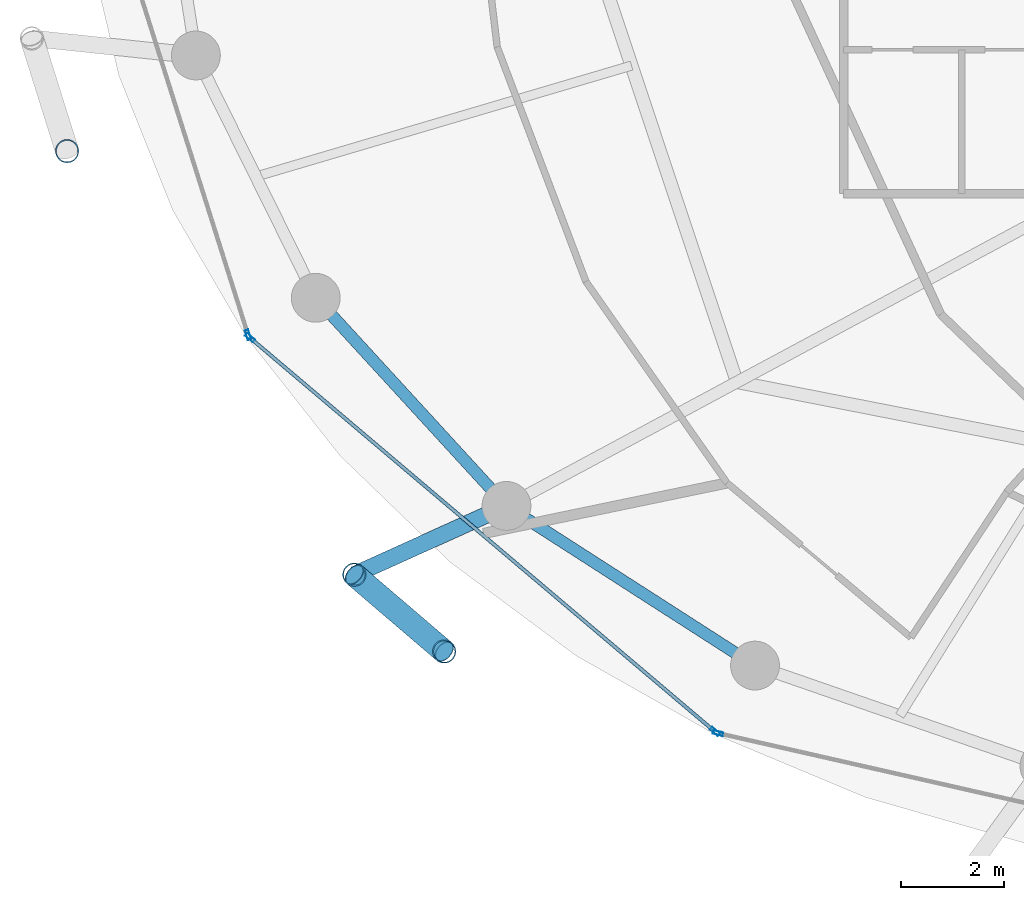
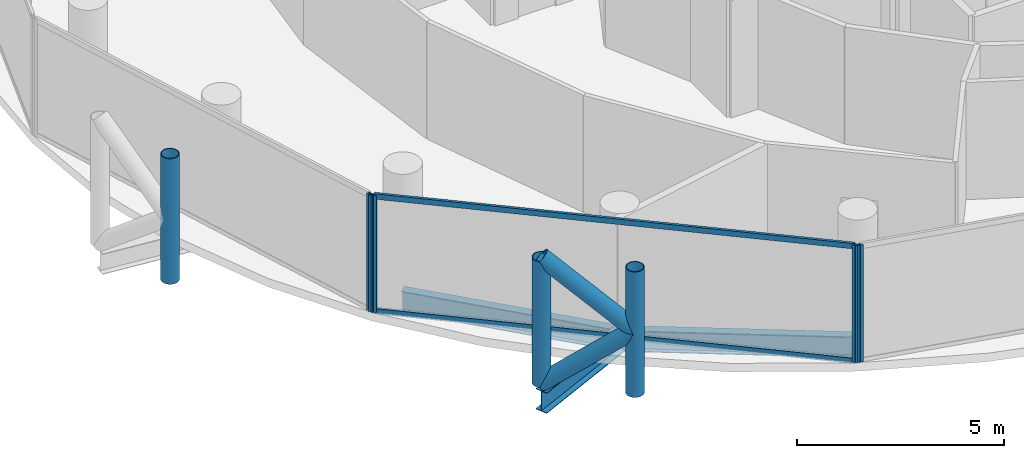
# One storey, part 2 of 26: 11 members, 3 beams, 3 elements without a shape of their own.
"""IFC4 building model written with IfcOpenShell, lengths in metres."""

import ifcopenshell
import ifcopenshell.guid

model = None  # the IFC model being written
_history = None  # IfcOwnerHistory: only IFC2X3 demands one
_inside = {}  # id of a spatial element -> (the spatial element, [elements in it])
_under = {}  # id of a project, library or spatial element -> (it, [spatial elements below it])
_declared = {}  # id of a project -> (the project, [libraries it declares])
_typed = {}  # id of a type object -> (the type object, [elements of that type])
_made_of = {}  # id of a material, layer set ... -> (it, [elements and type objects made of it])


def new_model(schema):
    """Start an empty IFC model of exactly this schema.

    Asked for "IFC4X3", IfcOpenShell would pick the latest addendum, in which some entities
    have other attributes; the version numbers below select the first issue.
    IFC2X3 requires an IfcOwnerHistory on every rooted entity: one is made here for all.
    """
    global model, _history
    if schema == "IFC4X3":
        model = ifcopenshell.file(schema_version=(4, 3, 0, 0))
    else:
        model = ifcopenshell.file(schema=schema)
    _inside.clear()
    _under.clear()
    _declared.clear()
    _typed.clear()
    _made_of.clear()
    _history = None
    if model.schema == "IFC2X3":
        org = make("IfcOrganization", Name="unknown")
        user = make(
            "IfcPersonAndOrganization",
            ThePerson=make("IfcPerson", FamilyName="unknown"),
            TheOrganization=org,
        )
        app = make(
            "IfcApplication",
            ApplicationDeveloper=org,
            Version="unknown",
            ApplicationFullName="unknown",
            ApplicationIdentifier="unknown",
        )
        _history = make(
            "IfcOwnerHistory",
            OwningUser=user,
            OwningApplication=app,
            ChangeAction="ADDED",
            CreationDate=0,
        )
    return model


def make(cls, **values):
    """One entity of the class cls with the attributes given. An attribute that is None is left unset."""
    return model.create_entity(
        cls, **{name: value for name, value in values.items() if value is not None}
    )


def rooted(cls, **values):
    """An entity with a GlobalId (a new one), such as an element, a storey or a relation."""
    return make(cls, GlobalId=ifcopenshell.guid.new(), OwnerHistory=_history, **values)


def si_unit(unit_type, name, prefix=None):
    """IfcSIUnit, for example si_unit("LENGTHUNIT", "METRE", prefix="MILLI")."""
    return make("IfcSIUnit", UnitType=unit_type, Prefix=prefix, Name=name)


def assignment(units):
    """IfcUnitAssignment: the units of a project."""
    return None if units is None else make("IfcUnitAssignment", Units=units)


def point(xyz):
    """IfcCartesianPoint."""
    return None if xyz is None else make("IfcCartesianPoint", Coordinates=xyz)


def direction(xyz):
    """IfcDirection."""
    return None if xyz is None else make("IfcDirection", DirectionRatios=xyz)


def frame(location, z_axis=None, x_axis=None):
    """IfcAxis2Placement3D, a coordinate frame: its origin and axes. An axis left out is left unset."""
    return make(
        "IfcAxis2Placement3D",
        Location=point(location),
        Axis=direction(z_axis),
        RefDirection=direction(x_axis),
    )


def frame_2d(location, x_axis=None):
    """IfcAxis2Placement2D, a coordinate frame in the plane: its origin and x axis."""
    return make(
        "IfcAxis2Placement2D", Location=point(location), RefDirection=direction(x_axis)
    )


def origin():
    """The frame at (0, 0, 0) with its axes left unset."""
    return frame((0.0, 0.0, 0.0))


def origin_2d():
    """The frame at (0, 0) in the plane with its x axis left unset."""
    return frame_2d((0.0, 0.0))


def place(relative_to, where):
    """IfcLocalPlacement: puts the frame where relative to a parent placement (None: the world)."""
    return make(
        "IfcLocalPlacement", PlacementRelTo=relative_to, RelativePlacement=where
    )


def context(
    kind, dimensions, precision=None, world=None, true_north=None, identifier=None
):
    """IfcGeometricRepresentationContext, for example the 3D "Model" context."""
    return make(
        "IfcGeometricRepresentationContext",
        ContextIdentifier=identifier,
        ContextType=kind,
        CoordinateSpaceDimension=dimensions,
        Precision=precision,
        WorldCoordinateSystem=world,
        TrueNorth=true_north,
    )


def subcontext(parent, identifier, kind, view, scale=None):
    """IfcGeometricRepresentationSubContext, for example "Body" below "Model"."""
    return make(
        "IfcGeometricRepresentationSubContext",
        ContextIdentifier=identifier,
        ContextType=kind,
        ParentContext=parent,
        TargetScale=scale,
        TargetView=view,
    )


def project(units=None, contexts=None):
    """IfcProject with its units and contexts."""
    return rooted(
        "IfcProject",
        Name="project",
        RepresentationContexts=contexts,
        UnitsInContext=assignment(units),
    )


def spatial(cls, under=None, at=None, **own):
    """A site, building, storey or space (cls), placed at a placement, below another one or the project."""
    s = rooted(cls, ObjectPlacement=at, **own)
    if under is not None:
        _under.setdefault(under.id(), (under, []))[1].append(s)
    return s


def profile(cls, at=None, kind="AREA", **sizes):
    """A parametric profile (cls). Its sizes go by their IFC names, for example OverallWidth=200.0."""
    return make(cls, ProfileType=kind, Position=at, **sizes)


def hollow_rectangle(**sizes):
    """IfcRectangleHollowProfileDef."""
    return profile("IfcRectangleHollowProfileDef", **sizes)


def hollow_circle(**sizes):
    """IfcCircleHollowProfileDef."""
    return profile("IfcCircleHollowProfileDef", **sizes)


def i_section(**sizes):
    """IfcIShapeProfileDef."""
    return profile("IfcIShapeProfileDef", **sizes)


def extrude(swept, where, along, depth):
    """IfcExtrudedAreaSolid: the profile swept, set in the frame where, extruded along a direction by depth."""
    return make(
        "IfcExtrudedAreaSolid",
        SweptArea=swept,
        Position=where,
        ExtrudedDirection=direction(along),
        Depth=depth,
    )


def shape(context_of_items, identifier, shape_type, items):
    """IfcShapeRepresentation: the items that make up one representation, for example the "Body"."""
    return make(
        "IfcShapeRepresentation",
        ContextOfItems=context_of_items,
        RepresentationIdentifier=identifier,
        RepresentationType=shape_type,
        Items=items,
    )


def material(Name=None, Category=None):
    """IfcMaterial."""
    return make("IfcMaterial", Name=Name, Category=Category)


def layer(
    of_material, thickness, ventilated=None, Name=None, Category=None, Priority=None
):
    """IfcMaterialLayer: one layer of a wall or slab, of a material (None: an air gap)."""
    return make(
        "IfcMaterialLayer",
        Material=of_material,
        LayerThickness=thickness,
        IsVentilated=ventilated,
        Name=Name,
        Category=Category,
        Priority=Priority,
    )


def layer_set(layers, Name=None):
    """IfcMaterialLayerSet."""
    return make("IfcMaterialLayerSet", MaterialLayers=layers, LayerSetName=Name)


def material_profile(
    of_material, cross_section, Name=None, Category=None, Priority=None
):
    """IfcMaterialProfile: a cross section and its material."""
    return make(
        "IfcMaterialProfile",
        Name=Name,
        Material=of_material,
        Profile=cross_section,
        Priority=Priority,
        Category=Category,
    )


def profile_set(profiles, Name=None, composite=None):
    """IfcMaterialProfileSet."""
    return make(
        "IfcMaterialProfileSet",
        Name=Name,
        MaterialProfiles=profiles,
        CompositeProfile=composite,
    )


def made_of(thing, what):
    """Note that an element or type object is made of a material, layer set ...; save() writes the relation."""
    if what is not None:
        _made_of.setdefault(what.id(), (what, []))[1].append(thing)
    return thing


def type_object(cls, material=None, **own):
    """A type object (cls), such as IfcWallType, which elements share."""
    return made_of(rooted(cls, **own), material)


def element(
    cls,
    number,
    at=None,
    inside=None,
    cuts=None,
    type_object=None,
    material=None,
    context=None,
    identifier="Body",
    shape_type=None,
    held_by="IfcProductDefinitionShape",
    body=None,
    shapes=None,
    **own,
):
    """One element of the class cls, such as IfcWall. Its Tag is "e" and its number.

    at: its placement. inside: the storey or other place that contains it. cuts: it is an
    opening in that element (IfcRelVoidsElement). A single representation is given by context,
    identifier, shape_type and body (its items); several are given by shapes. held_by: the class
    of the entity that holds the representations. save() writes the other relations.
    """
    e = rooted(cls, Tag="e%d" % number, ObjectPlacement=at, **own)
    if body is not None:
        shapes = [shape(context, identifier, shape_type, body)]
    if shapes is not None:
        e.Representation = make(held_by, Representations=shapes)
    if inside is not None:
        _inside.setdefault(inside.id(), (inside, []))[1].append(e)
    if cuts is not None:
        rooted(
            "IfcRelVoidsElement", RelatingBuildingElement=cuts, RelatedOpeningElement=e
        )
    if type_object is not None:
        _typed.setdefault(type_object.id(), (type_object, []))[1].append(e)
    return made_of(e, material)


def aggregate(whole, parts):
    """IfcRelAggregates: a whole, such as a stair, and the parts it consists of."""
    return rooted("IfcRelAggregates", RelatingObject=whole, RelatedObjects=parts)


def save(model, path):
    """Write the relations noted so far, then the file.

    IfcRelAggregates (storeys below a building ...), IfcRelContainedInSpatialStructure (elements
    in a storey), IfcRelDefinesByType, IfcRelAssociatesMaterial and IfcRelDeclares: one each for
    every whole, place, type object, material and project.
    """
    for whole, parts in _under.values():
        aggregate(whole, parts)
    for where, things in _inside.values():
        rooted(
            "IfcRelContainedInSpatialStructure",
            RelatedElements=things,
            RelatingStructure=where,
        )
    for kind, things in _typed.values():
        rooted("IfcRelDefinesByType", RelatedObjects=things, RelatingType=kind)
    for what, things in _made_of.values():
        rooted("IfcRelAssociatesMaterial", RelatedObjects=things, RelatingMaterial=what)
    for by, libraries in _declared.values():
        rooted("IfcRelDeclares", RelatingContext=by, RelatedDefinitions=libraries)
    model.write(path)


model = new_model("IFC4")

# Units and contexts
model_context = context("Model", 3, precision=1e-05, world=origin(), true_north=direction((0.0, 1.0)))
body_context = subcontext(model_context, "Body", "Model", "MODEL_VIEW")
ifc_project = project(units=[si_unit("LENGTHUNIT", "METRE"), si_unit("AREAUNIT", "SQUARE_METRE"), si_unit("VOLUMEUNIT", "CUBIC_METRE"), si_unit("PLANEANGLEUNIT", "RADIAN"), si_unit("MASSUNIT", "GRAM", prefix="KILO")], contexts=[model_context])

# Site, building, storey
site_placement = place(None, origin())
site = spatial("IfcSite", under=ifc_project, at=site_placement, CompositionType="ELEMENT")
building_placement = place(site_placement, origin())
building = spatial("IfcBuilding", under=site, at=building_placement, Name="Nuhasar Tower", CompositionType="ELEMENT")
storey_placement = place(building_placement, frame((0.0, 0.0, 162.64990234375)))
storey = spatial("IfcBuildingStorey", under=building, at=storey_placement, Name="L39", CompositionType="ELEMENT", Elevation=162.64990234375)

# Beams
ifc_material_1 = material(Name="Steel S355", Category="steel")
ifc_material_profile_1 = material_profile(ifc_material_1, i_section(OverallWidth=0.22998046875, OverallDepth=0.616943359375, WebThickness=0.01318359375, FlangeThickness=0.022216796875, at=origin_2d()), Name="W24X94")
ifc_profile_set_1 = profile_set([ifc_material_profile_1], Name="Steel S355")
beam_type_1 = type_object("IfcBeamType", Name="BM-RING-W24X94", PredefinedType="SPANDREL", material=ifc_profile_set_1)
beam_1_placement = place(storey_placement, frame((18.778076171875, 17.02490234375, -0.558837890625), z_axis=(0.675676316545, -0.737198423262, 0.0), x_axis=(0.737198423262, 0.675676316545, 0.0)))
element("IfcBeam", 1, at=beam_1_placement, inside=storey, type_object=beam_type_1, Name="L39 Perimeter Ring Spandrel 15", PredefinedType="SPANDREL", context=body_context, shape_type="SweptSolid", body=[
    extrude(i_section(OverallWidth=0.22998046875, OverallDepth=0.616943359375, WebThickness=0.01318359375, FlangeThickness=0.022216796875, at=origin_2d()), origin(), (0.0, 0.0, 1.0), 5.4921875),
])
beam_2_placement = place(storey_placement, frame((22.489013671875, 12.97607421875, -0.558837890625), z_axis=(0.841308170616, -0.540555789955, 0.0), x_axis=(0.540555789955, 0.841308170616, 0.0)))
element("IfcBeam", 2, at=beam_2_placement, inside=storey, type_object=beam_type_1, Name="L39 Perimeter Ring Spandrel 16", PredefinedType="SPANDREL", context=body_context, shape_type="SweptSolid", body=[
    extrude(i_section(OverallWidth=0.22998046875, OverallDepth=0.616943359375, WebThickness=0.01318359375, FlangeThickness=0.022216796875, at=origin_2d()), origin(), (0.0, 0.0, 1.0), 5.748046875),
])
ifc_material_profile_2 = material_profile(ifc_material_1, i_section(OverallWidth=0.323974609375, OverallDepth=0.611083984375, WebThickness=0.0126953125, FlangeThickness=0.01904296875, at=origin_2d()), Name="W24X104")
ifc_profile_set_2 = profile_set([ifc_material_profile_2], Name="Steel S355")
beam_type_2 = type_object("IfcBeamType", Name="BM-TIE-W24X104", PredefinedType="BEAM", material=ifc_profile_set_2)
beam_3_placement = place(storey_placement, frame((22.489013671875, 12.97607421875, -0.554931640625), z_axis=(-0.911211381786, -0.411939094653, 0.0), x_axis=(0.411939094653, -0.911211381786, 0.0)))
element("IfcBeam", 3, at=beam_3_placement, inside=storey, type_object=beam_type_2, Name="L39 Exoskeleton Node Tie Beam 08", PredefinedType="BEAM", context=body_context, shape_type="SweptSolid", body=[
    extrude(i_section(OverallWidth=0.323974609375, OverallDepth=0.611083984375, WebThickness=0.0126953125, FlangeThickness=0.01904296875, at=origin_2d()), origin(), (0.0, 0.0, 1.0), 3.248291015625),
])

# Curtain wall, member
ifc_material_2 = material(Name="Aluminium 6063-T6", Category="aluminium")
ifc_layer = layer(ifc_material_2, 0.199951171875)
ifc_layer_set = layer_set([ifc_layer], Name="Aluminium 6063-T6")
curtain_wall_type = type_object("IfcCurtainWallType", Name="CW-Z2-HTL", PredefinedType="NOTDEFINED", material=ifc_layer_set)
curtain_wall_1_placement = place(storey_placement, origin())
curtain_wall_1 = element("IfcCurtainWall", 4, at=curtain_wall_1_placement, inside=storey, type_object=curtain_wall_type, Name="L39 Unitised Curtain Wall 07", PredefinedType="NOTDEFINED")
ifc_material_profile_3 = material_profile(ifc_material_2, hollow_rectangle(XDim=0.070068359375, YDim=0.199951171875, WallThickness=0.0048828125, at=origin_2d()), Name="CWM-3")
ifc_profile_set_3 = profile_set([ifc_material_profile_3], Name="Aluminium 6063-T6")
member_type_1 = type_object("IfcMemberType", Name="CW-MUL-S3", PredefinedType="MULLION", material=ifc_profile_set_3)
member_1_placement = place(storey_placement, frame((17.46044921875, 16.303466796875, 0.0), z_axis=(0.0, 0.0, 1.0), x_axis=(0.953433389233, 0.301603667577, 0.0)))
member_1 = element("IfcMember", 5, at=member_1_placement, type_object=member_type_1, Name="CW-Z2 mullion 2", PredefinedType="MULLION", context=body_context, shape_type="SweptSolid", body=[
    extrude(hollow_rectangle(XDim=0.070068359375, YDim=0.199951171875, WallThickness=0.0048828125, at=origin_2d()), origin(), (0.0, 0.0, 1.0), 3.4501953125),
])
aggregate(curtain_wall_1, [member_1])

# Curtain wall, members
curtain_wall_2_placement = place(storey_placement, origin())
curtain_wall_2 = element("IfcCurtainWall", 6, at=curtain_wall_2_placement, inside=storey, type_object=curtain_wall_type, Name="L39 Unitised Curtain Wall 08", PredefinedType="NOTDEFINED")
member_2_placement = place(storey_placement, frame((17.497802734375, 16.247314453125, 0.0), z_axis=(0.0, 0.0, 1.0), x_axis=(0.646374438324, 0.763020370292, 0.0)))
member_2 = element("IfcMember", 7, at=member_2_placement, type_object=member_type_1, Name="CW-Z2 mullion 1", PredefinedType="MULLION", context=body_context, shape_type="SweptSolid", body=[
    extrude(hollow_rectangle(XDim=0.070068359375, YDim=0.199951171875, WallThickness=0.0048828125, at=origin_2d()), origin(), (0.0, 0.0, 1.0), 3.4501953125),
])
member_3_placement = place(storey_placement, frame((26.543212890625, 8.584716796875, 0.0), z_axis=(0.0, 0.0, 1.0), x_axis=(0.646374438324, 0.763020370292, 0.0)))
member_3 = element("IfcMember", 8, at=member_3_placement, type_object=member_type_1, Name="CW-Z2 mullion 2", PredefinedType="MULLION", context=body_context, shape_type="SweptSolid", body=[
    extrude(hollow_rectangle(XDim=0.070068359375, YDim=0.199951171875, WallThickness=0.0048828125, at=origin_2d()), origin(), (0.0, 0.0, 1.0), 3.4501953125),
])

# Curtain wall, member
curtain_wall_3_placement = place(storey_placement, origin())
curtain_wall_3 = element("IfcCurtainWall", 9, at=curtain_wall_3_placement, inside=storey, type_object=curtain_wall_type, Name="L39 Unitised Curtain Wall 09", PredefinedType="NOTDEFINED")
member_4_placement = place(storey_placement, frame((26.604248046875, 8.55419921875, 0.0), z_axis=(0.0, 0.0, 1.0), x_axis=(0.22139729566, 0.975183694221, 0.0)))
member_4 = element("IfcMember", 10, at=member_4_placement, type_object=member_type_1, Name="CW-Z2 mullion 1", PredefinedType="MULLION", context=body_context, shape_type="SweptSolid", body=[
    extrude(hollow_rectangle(XDim=0.070068359375, YDim=0.199951171875, WallThickness=0.0048828125, at=origin_2d()), origin(), (0.0, 0.0, 1.0), 3.4501953125),
])
aggregate(curtain_wall_3, [member_4])

# Member
ifc_material_profile_4 = material_profile(ifc_material_2, hollow_rectangle(XDim=0.070068359375, YDim=0.159912109375, WallThickness=0.00439453125, at=origin_2d()), Name="CWT-3")
ifc_profile_set_4 = profile_set([ifc_material_profile_4], Name="Aluminium 6063-T6")
member_type_2 = type_object("IfcMemberType", Name="CW-TRN-S3", PredefinedType="USERDEFINED", material=ifc_profile_set_4)
member_5_placement = place(storey_placement, frame((17.5244140625, 16.224853515625, 0.03515625), z_axis=(0.763013698099, -0.646382314511, 0.0), x_axis=(0.646382314511, 0.763013698099, 0.0)))
member_5 = element("IfcMember", 11, at=member_5_placement, type_object=member_type_2, Name="CW-Z2 transom 1.1", ObjectType="TRANSOM", PredefinedType="USERDEFINED", context=body_context, shape_type="SweptSolid", body=[
    extrude(hollow_rectangle(XDim=0.070068359375, YDim=0.159912109375, WallThickness=0.00439453125, at=origin_2d()), origin(), (0.0, 0.0, 1.0), 11.78515625),
])

member_6_placement = place(storey_placement, frame((17.5244140625, 16.224853515625, 3.4150390625), z_axis=(0.763013698099, -0.646382314511, 0.0), x_axis=(0.646382314511, 0.763013698099, 0.0)))
member_6 = element("IfcMember", 12, at=member_6_placement, type_object=member_type_2, Name="CW-Z2 transom 1.2", ObjectType="TRANSOM", PredefinedType="USERDEFINED", context=body_context, shape_type="SweptSolid", body=[
    extrude(hollow_rectangle(XDim=0.070068359375, YDim=0.159912109375, WallThickness=0.00439453125, at=origin_2d()), origin(), (0.0, 0.0, 1.0), 11.78515625),
])

aggregate(curtain_wall_2, [member_2, member_3, member_5, member_6])

# Members
ifc_material_3 = material(Name="Steel S460", Category="steel")
ifc_material_profile_5 = material_profile(ifc_material_3, hollow_circle(Radius=0.228515625, WallThickness=0.022216796875, at=origin_2d()), Name="HSS457X22.2")
ifc_profile_set_5 = profile_set([ifc_material_profile_5], Name="Steel S460")
member_type_3 = type_object("IfcMemberType", Name="EXO-BRONZE-457", PredefinedType="BRACE", material=ifc_profile_set_5)
for number, where, z_axis, x_axis, name in (
    (13, (13.93994140625, 19.87890625, 0.0), (0.0, 0.0, 1.0), (1.0, 0.0, 0.0), "L39 Exoskeleton Chord Column EC-07B"),
    (14, (19.529052734375, 11.637939453125, 0.0), (0.0, 0.0, 1.0), (1.0, 0.0, 0.0), "L39 Exoskeleton Chord Column EC-08A"),
    (15, (21.277099609375, 10.14306640625, 0.0), (0.0, 0.0, 1.0), (1.0, 0.0, 0.0), "L39 Exoskeleton Chord Column EC-08B"),
):
    element("IfcMember", number, at=place(storey_placement, frame(where, z_axis=z_axis, x_axis=x_axis)), inside=storey, type_object=member_type_3, Name=name, PredefinedType="BRACE", context=body_context, shape_type="SweptSolid", body=[
        extrude(hollow_circle(Radius=0.228515625, WallThickness=0.022216796875, at=origin_2d()), origin(), (0.0, 0.0, 1.0), 3.7001953125),
    ])
for number, where, z_axis, x_axis, name in (
    (16, (19.529052734375, 11.637939453125, 0.0), (0.592195175458, -0.506426125604, 0.626767463634), (0.649925557156, 0.7599978751, 0.0), "L39 Bronze Diagrid Brace W1-08"),
    (17, (21.277099609375, 10.14306640625, 1.85009765625), (-0.592195175458, 0.506426125604, 0.626767463634), (-0.649925557156, -0.7599978751, 0.0), "L39 Bronze Diagrid Brace W2-08"),
):
    element("IfcMember", number, at=place(storey_placement, frame(where, z_axis=z_axis, x_axis=x_axis)), inside=storey, type_object=member_type_3, Name=name, PredefinedType="BRACE", context=body_context, shape_type="SweptSolid", body=[
        extrude(hollow_circle(Radius=0.228515625, WallThickness=0.022216796875, at=origin_2d()), origin(), (0.0, 0.0, 1.0), 2.951904296875),
    ])

save(model, "model.ifc")
